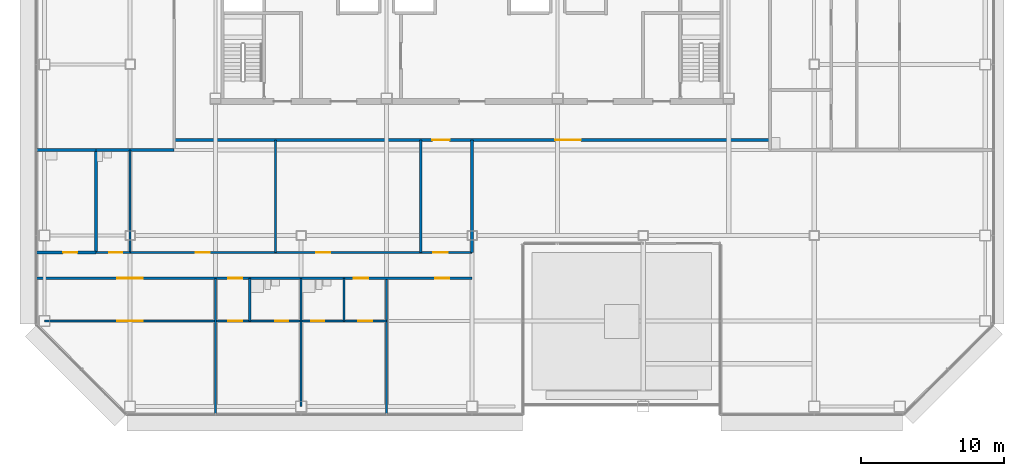
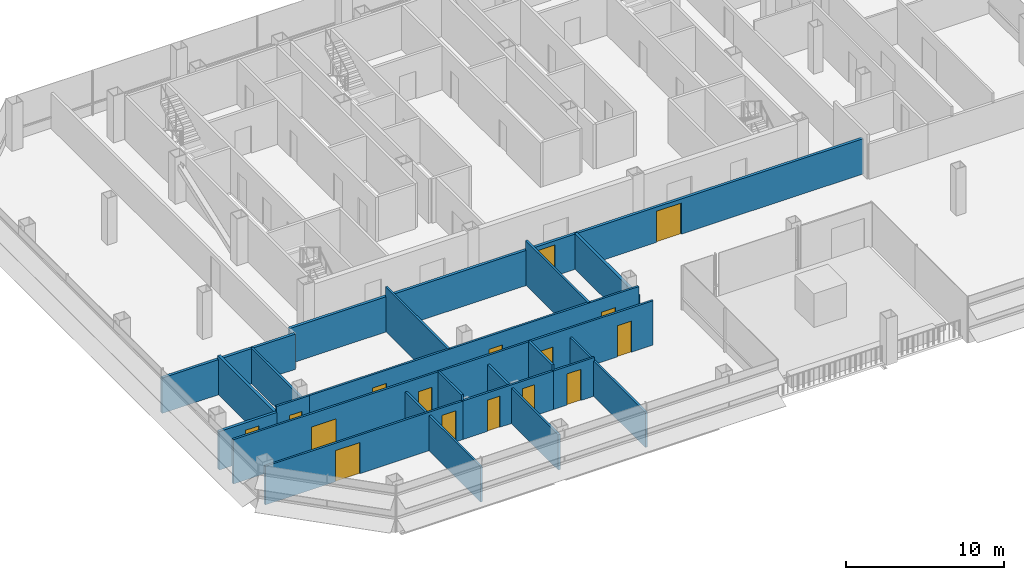
# One storey, part 18 of 26: 23 walls, 16 doors, 16 openings.
"""IFC4 building model written with IfcOpenShell, lengths in metres."""

from ifc_helpers import new_model, si_unit, direction, frame, frame_2d, origin, place, context, subcontext, project, spatial, rectangle, extrude, material, layer, layer_set, type_object, element, fill, save


model = new_model("IFC4")

# Units and contexts
model_context = context("Model", 3, precision=1e-05, world=origin(), true_north=direction((0.0, 1.0)))
body_context = subcontext(model_context, "Body", "Model", "MODEL_VIEW")
ifc_project = project(units=[si_unit("LENGTHUNIT", "METRE"), si_unit("AREAUNIT", "SQUARE_METRE"), si_unit("VOLUMEUNIT", "CUBIC_METRE"), si_unit("PLANEANGLEUNIT", "RADIAN"), si_unit("MASSUNIT", "GRAM", prefix="KILO")], contexts=[model_context])

# Site, building, storey
site_placement = place(None, origin())
site = spatial("IfcSite", under=ifc_project, at=site_placement, CompositionType="ELEMENT")
building_placement = place(site_placement, origin())
building = spatial("IfcBuilding", under=site, at=building_placement, Name="Sorahane Residences", CompositionType="ELEMENT")
storey_placement = place(building_placement, frame((0.0, 0.0, 103.39990234375)))
storey = spatial("IfcBuildingStorey", under=building, at=storey_placement, Name="L22", CompositionType="ELEMENT", Elevation=103.39990234375)

# Walls
ifc_material_1 = material(Name="Concrete blockwork C20 wall", Category="masonry")
ifc_layer_1 = layer(ifc_material_1, 0.199951171875)
ifc_layer_set_1 = layer_set([ifc_layer_1], Name="Corridor wall 200 EI 120")
wall_type_1 = type_object("IfcWallType", Name="Corridor wall 200 EI 120", PredefinedType="SOLIDWALL", material=ifc_layer_set_1)
wall_1_placement = place(storey_placement, frame((24.0, 10.800048828125, 0.0), z_axis=(0.0, 0.0, 1.0), x_axis=(0.0, 1.0, 0.0)))
element("IfcWall", 1, at=wall_1_placement, inside=storey, type_object=wall_type_1, Name="L22 corridor wall", PredefinedType="SOLIDWALL", context=body_context, shape_type="SweptSolid", body=[
    extrude(rectangle(XDim=7.89990234375, YDim=0.199951171875, at=frame_2d((3.949951171875, 0.0))), origin(), (0.0, 0.0, 1.0), 2.72021484375),
])
wall_2_placement = place(storey_placement, frame((-2.39990234375, 18.0, 0.0), z_axis=(0.0, 0.0, 1.0), x_axis=(1.0, 0.0, 0.0)))
element("IfcWall", 2, at=wall_2_placement, inside=storey, type_object=wall_type_1, Name="L22 corridor wall", PredefinedType="SOLIDWALL", context=body_context, shape_type="SweptSolid", body=[
    extrude(rectangle(XDim=5.5, YDim=0.199951171875, at=frame_2d((2.75, 0.0))), origin(), (0.0, 0.0, 1.0), 2.72021484375),
])

# Wall, openings, doors
wall_3_placement = place(storey_placement, frame((3.10009765625, 18.699951171875, 0.0), z_axis=(0.0, 0.0, 1.0), x_axis=(1.0, 0.0, 0.0)))
wall_3 = element("IfcWall", 3, at=wall_3_placement, inside=storey, type_object=wall_type_1, Name="L22 corridor wall", PredefinedType="SOLIDWALL", context=body_context, shape_type="SweptSolid", body=[
    extrude(rectangle(XDim=41.7998046875, YDim=0.199951171875, at=frame_2d((20.89990234375, 0.0))), origin(), (0.0, 0.0, 1.0), 2.72021484375),
])
opening_1_placement = place(wall_3_placement, frame((18.1201171875, 0.0, 0.0)))
opening_1 = element("IfcOpeningElement", 4, at=opening_1_placement, cuts=wall_3, Name="Opening L22-27", PredefinedType="OPENING", context=body_context, shape_type="SweptSolid", body=[
    extrude(rectangle(XDim=1.199951171875, YDim=2.39990234375, at=frame_2d((0.60009765625, 1.199951171875))), frame((0.0, 0.10986328125, 0.0), z_axis=(0.0, -1.0, 0.0), x_axis=(1.0, 0.0, 0.0)), (0.0, 0.0, 1.0), 0.219970703125),
])
opening_2_placement = place(wall_3_placement, frame((26.72998046875, 0.0, 0.0)))
opening_2 = element("IfcOpeningElement", 5, at=opening_2_placement, cuts=wall_3, Name="Opening L22-29", PredefinedType="OPENING", context=body_context, shape_type="SweptSolid", body=[
    extrude(rectangle(XDim=1.800048828125, YDim=2.39990234375, at=frame_2d((0.89990234375, 1.199951171875))), frame((0.0, 0.10986328125, 0.0), z_axis=(0.0, -1.0, 0.0), x_axis=(1.0, 0.0, 0.0)), (0.0, 0.0, 1.0), 0.219970703125),
])
ifc_material_2 = material(Name="Timber veneered fire door", Category="wood")
door_type_1 = type_object("IfcDoorType", Name="Double door 1800x2400 FD30", OperationType="NOTDEFINED", PredefinedType="DOOR", material=ifc_material_2)
door_1_placement = place(opening_2_placement, frame((1.800048828125, 0.0, 0.0), z_axis=(0.0, 0.0, 1.0), x_axis=(-1.0, 0.0, 0.0)))
door_1 = element("IfcDoor", 6, at=door_1_placement, inside=storey, type_object=door_type_1, Name="Double door L22-29", OperationType="SINGLE_SWING_LEFT", OverallHeight=2.39990234375, OverallWidth=1.800048828125, PredefinedType="DOOR", context=body_context, shape_type="SweptSolid", body=[
    extrude(rectangle(XDim=1.800048828125, YDim=2.39990234375, at=frame_2d((0.89990234375, 1.199951171875))), frame((0.0, 0.02490234375, 0.0), z_axis=(0.0, -1.0, 0.0), x_axis=(1.0, 0.0, 0.0)), (0.0, 0.0, 1.0), 0.050048828125),
])
fill(opening_2, door_1)
ifc_material_3 = material(Name="Timber veneered fire door", Category="wood")
door_type_2 = type_object("IfcDoorType", Name="Flat entrance door 1200x2400 FD60", OperationType="NOTDEFINED", PredefinedType="DOOR", material=ifc_material_3)
door_2_placement = place(opening_1_placement, frame((1.199951171875, 0.0, 0.0), z_axis=(0.0, 0.0, 1.0), x_axis=(-1.0, 0.0, 0.0)))
door_2 = element("IfcDoor", 7, at=door_2_placement, inside=storey, type_object=door_type_2, Name="Flat entrance door L22-27", OperationType="SINGLE_SWING_LEFT", OverallHeight=2.39990234375, OverallWidth=1.199951171875, PredefinedType="DOOR", context=body_context, shape_type="SweptSolid", body=[
    extrude(rectangle(XDim=1.199951171875, YDim=2.39990234375, at=frame_2d((0.60009765625, 1.199951171875))), frame((0.0, 0.02490234375, 0.0), z_axis=(0.0, -1.0, 0.0), x_axis=(1.0, 0.0, 0.0)), (0.0, 0.0, 1.0), 0.050048828125),
])
fill(opening_1, door_2)

# Wall
ifc_material_4 = material(Name="Concrete blockwork C20 wall", Category="masonry")
ifc_layer_2 = layer(ifc_material_4, 0.199951171875)
ifc_layer_set_2 = layer_set([ifc_layer_2], Name="Kitchen wall 200 EI 180")
wall_type_2 = type_object("IfcWallType", Name="Kitchen wall 200 EI 180", PredefinedType="SOLIDWALL", material=ifc_layer_set_2)
wall_4_placement = place(storey_placement, frame((-2.39990234375, 10.800048828125, 0.0), z_axis=(0.0, 0.0, 1.0), x_axis=(0.0, 1.0, 0.0)))
element("IfcWall", 8, at=wall_4_placement, inside=storey, type_object=wall_type_2, Name="L22 kitchen wall", PredefinedType="SOLIDWALL", context=body_context, shape_type="SweptSolid", body=[
    extrude(rectangle(XDim=7.199951171875, YDim=0.199951171875, at=frame_2d((3.60009765625, 0.0))), origin(), (0.0, 0.0, 1.0), 2.97021484375),
])

# Wall, opening, door
wall_5_placement = place(storey_placement, frame((-6.60009765625, 10.800048828125, 0.0), z_axis=(0.0, 0.0, 1.0), x_axis=(1.0, 0.0, 0.0)))
wall_5 = element("IfcWall", 9, at=wall_5_placement, inside=storey, type_object=wall_type_2, Name="L22 kitchen wall", PredefinedType="SOLIDWALL", context=body_context, shape_type="SweptSolid", body=[
    extrude(rectangle(XDim=4.2001953125, YDim=0.199951171875, at=frame_2d((2.10009765625, 0.0))), origin(), (0.0, 0.0, 1.0), 2.97021484375),
])
opening_3_placement = place(wall_5_placement, frame((1.89990234375, 0.0, 0.0)))
opening_3 = element("IfcOpeningElement", 10, at=opening_3_placement, cuts=wall_5, Name="Opening L22-02", PredefinedType="OPENING", context=body_context, shape_type="SweptSolid", body=[
    extrude(rectangle(XDim=1.0, YDim=2.39990234375, at=frame_2d((0.5, 1.199951171875))), frame((0.0, 0.10986328125, 0.0), z_axis=(0.0, -1.0, 0.0), x_axis=(1.0, 0.0, 0.0)), (0.0, 0.0, 1.0), 0.219970703125),
])
ifc_material_5 = material(Name="Steel", Category="steel")
door_type_3 = type_object("IfcDoorType", Name="Kitchen door 1000x2400 FD120", OperationType="NOTDEFINED", PredefinedType="DOOR", material=ifc_material_5)
door_3_placement = place(opening_3_placement, origin())
door_3 = element("IfcDoor", 11, at=door_3_placement, inside=storey, type_object=door_type_3, Name="Kitchen door L22-02", OperationType="SINGLE_SWING_RIGHT", OverallHeight=2.39990234375, OverallWidth=1.0, PredefinedType="DOOR", context=body_context, shape_type="SweptSolid", body=[
    extrude(rectangle(XDim=1.0, YDim=2.39990234375, at=frame_2d((0.5, 1.199951171875))), frame((0.0, 0.02490234375, 0.0), z_axis=(0.0, -1.0, 0.0), x_axis=(1.0, 0.0, 0.0)), (0.0, 0.0, 1.0), 0.050048828125),
])
fill(opening_3, door_3)

# Walls
wall_6_placement = place(storey_placement, frame((-6.60009765625, 18.0, 0.0), z_axis=(0.0, 0.0, 1.0), x_axis=(1.0, 0.0, 0.0)))
element("IfcWall", 12, at=wall_6_placement, inside=storey, type_object=wall_type_2, Name="L22 kitchen wall", PredefinedType="SOLIDWALL", context=body_context, shape_type="SweptSolid", body=[
    extrude(rectangle(XDim=4.2001953125, YDim=0.199951171875, at=frame_2d((2.10009765625, 0.0))), origin(), (0.0, 0.0, 1.0), 2.72021484375),
])
ifc_material_6 = material(Name="Gypsum board partition on steel studs", Category="steel")
ifc_layer_3 = layer(ifc_material_6, 0.14990234375)
ifc_layer_set_3 = layer_set([ifc_layer_3], Name="Partition 150 EI 90")
wall_type_3 = type_object("IfcWallType", Name="Partition 150 EI 90", PredefinedType="PARTITIONING", material=ifc_layer_set_3)
wall_7_placement = place(storey_placement, frame((10.199951171875, 10.800048828125, 0.0), z_axis=(0.0, 0.0, 1.0), x_axis=(0.0, 1.0, 0.0)))
element("IfcWall", 13, at=wall_7_placement, inside=storey, type_object=wall_type_3, Name="L22 partition", PredefinedType="PARTITIONING", context=body_context, shape_type="SweptSolid", body=[
    extrude(rectangle(XDim=7.89990234375, YDim=0.14990234375, at=frame_2d((3.949951171875, 0.0))), origin(), (0.0, 0.0, 1.0), 3.420166015625),
])
wall_8_placement = place(storey_placement, frame((12.0, 0.0, 0.0), z_axis=(0.0, 0.0, 1.0), x_axis=(0.0, 1.0, 0.0)))
element("IfcWall", 14, at=wall_8_placement, inside=storey, type_object=wall_type_3, Name="L22 partition", PredefinedType="PARTITIONING", context=body_context, shape_type="SweptSolid", body=[
    extrude(rectangle(XDim=6.0, YDim=0.14990234375, at=frame_2d((3.0, 0.0))), origin(), (0.0, 0.0, 1.0), 2.72021484375),
])
wall_9_placement = place(storey_placement, frame((18.0, -0.60009765625, 0.0), z_axis=(0.0, 0.0, 1.0), x_axis=(0.0, 1.0, 0.0)))
element("IfcWall", 15, at=wall_9_placement, inside=storey, type_object=wall_type_3, Name="L22 partition", PredefinedType="PARTITIONING", context=body_context, shape_type="SweptSolid", body=[
    extrude(rectangle(XDim=9.60009765625, YDim=0.14990234375, at=frame_2d((4.800048828125, 0.0))), origin(), (0.0, 0.0, 1.0), 2.72021484375),
])
wall_10_placement = place(storey_placement, frame((20.39990234375, 10.800048828125, 0.0), z_axis=(0.0, 0.0, 1.0), x_axis=(0.0, 1.0, 0.0)))
element("IfcWall", 16, at=wall_10_placement, inside=storey, type_object=wall_type_3, Name="L22 partition", PredefinedType="PARTITIONING", context=body_context, shape_type="SweptSolid", body=[
    extrude(rectangle(XDim=7.89990234375, YDim=0.14990234375, at=frame_2d((3.949951171875, 0.0))), origin(), (0.0, 0.0, 1.0), 3.420166015625),
])
wall_11_placement = place(storey_placement, frame((6.0, -0.60009765625, 0.0), z_axis=(0.0, 0.0, 1.0), x_axis=(0.0, 1.0, 0.0)))
element("IfcWall", 17, at=wall_11_placement, inside=storey, type_object=wall_type_3, Name="L22 partition", PredefinedType="PARTITIONING", context=body_context, shape_type="SweptSolid", body=[
    extrude(rectangle(XDim=9.60009765625, YDim=0.14990234375, at=frame_2d((4.800048828125, 0.0))), origin(), (0.0, 0.0, 1.0), 2.72021484375),
])

# Wall, openings, doors
wall_12_placement = place(storey_placement, frame((0.0, 10.800048828125, 0.0), z_axis=(0.0, 0.0, 1.0), x_axis=(1.0, 0.0, 0.0)))
wall_12 = element("IfcWall", 18, at=wall_12_placement, inside=storey, type_object=wall_type_3, Name="L22 partition", PredefinedType="PARTITIONING", context=body_context, shape_type="SweptSolid", body=[
    extrude(rectangle(XDim=24.0, YDim=0.14990234375, at=frame_2d((12.0, 0.0))), origin(), (0.0, 0.0, 1.0), 3.420166015625),
])
opening_4_placement = place(wall_12_placement, frame((21.280029296875, 0.0, 0.0)))
opening_4 = element("IfcOpeningElement", 19, at=opening_4_placement, cuts=wall_12, Name="Opening L22-01", PredefinedType="OPENING", context=body_context, shape_type="SweptSolid", body=[
    extrude(rectangle(XDim=1.0, YDim=2.39990234375, at=frame_2d((0.5, 1.199951171875))), frame((0.0, 0.0849609375, 0.0), z_axis=(0.0, -1.0, 0.0), x_axis=(1.0, 0.0, 0.0)), (0.0, 0.0, 1.0), 0.169921875),
])
opening_5_placement = place(wall_12_placement, frame((4.60009765625, 0.0, 0.0)))
opening_5 = element("IfcOpeningElement", 20, at=opening_5_placement, cuts=wall_12, Name="Opening L22-04", PredefinedType="OPENING", context=body_context, shape_type="SweptSolid", body=[
    extrude(rectangle(XDim=1.0, YDim=2.39990234375, at=frame_2d((0.5, 1.199951171875))), frame((0.0, 0.0849609375, 0.0), z_axis=(0.0, -1.0, 0.0), x_axis=(1.0, 0.0, 0.0)), (0.0, 0.0, 1.0), 0.169921875),
])
opening_6_placement = place(wall_12_placement, frame((13.06005859375, 0.0, 0.0)))
opening_6 = element("IfcOpeningElement", 21, at=opening_6_placement, cuts=wall_12, Name="Opening L22-05", PredefinedType="OPENING", context=body_context, shape_type="SweptSolid", body=[
    extrude(rectangle(XDim=1.0, YDim=2.39990234375, at=frame_2d((0.5, 1.199951171875))), frame((0.0, 0.0849609375, 0.0), z_axis=(0.0, -1.0, 0.0), x_axis=(1.0, 0.0, 0.0)), (0.0, 0.0, 1.0), 0.169921875),
])
ifc_material_7 = material(Name="Timber veneered fire door", Category="wood")
door_type_4 = type_object("IfcDoorType", Name="Room door 1000x2400 FD30", OperationType="NOTDEFINED", PredefinedType="DOOR", material=ifc_material_7)
door_4_placement = place(opening_4_placement, frame((1.0, 0.0, 0.0), z_axis=(0.0, 0.0, 1.0), x_axis=(-1.0, 0.0, 0.0)))
door_4 = element("IfcDoor", 22, at=door_4_placement, inside=storey, type_object=door_type_4, Name="Room door L22-01", OperationType="SINGLE_SWING_LEFT", OverallHeight=2.39990234375, OverallWidth=1.0, PredefinedType="DOOR", context=body_context, shape_type="SweptSolid", body=[
    extrude(rectangle(XDim=1.0, YDim=2.39990234375, at=frame_2d((0.5, 1.199951171875))), frame((0.0, 0.02490234375, 0.0), z_axis=(0.0, -1.0, 0.0), x_axis=(1.0, 0.0, 0.0)), (0.0, 0.0, 1.0), 0.050048828125),
])
fill(opening_4, door_4)
door_5_placement = place(opening_5_placement, origin())
door_5 = element("IfcDoor", 23, at=door_5_placement, inside=storey, type_object=door_type_4, Name="Room door L22-04", OperationType="SINGLE_SWING_LEFT", OverallHeight=2.39990234375, OverallWidth=1.0, PredefinedType="DOOR", context=body_context, shape_type="SweptSolid", body=[
    extrude(rectangle(XDim=1.0, YDim=2.39990234375, at=frame_2d((0.5, 1.199951171875))), frame((0.0, 0.02490234375, 0.0), z_axis=(0.0, -1.0, 0.0), x_axis=(1.0, 0.0, 0.0)), (0.0, 0.0, 1.0), 0.050048828125),
])
fill(opening_5, door_5)
door_6_placement = place(opening_6_placement, origin())
door_6 = element("IfcDoor", 24, at=door_6_placement, inside=storey, type_object=door_type_4, Name="Room door L22-05", OperationType="SINGLE_SWING_RIGHT", OverallHeight=2.39990234375, OverallWidth=1.0, PredefinedType="DOOR", context=body_context, shape_type="SweptSolid", body=[
    extrude(rectangle(XDim=1.0, YDim=2.39990234375, at=frame_2d((0.5, 1.199951171875))), frame((0.0, 0.02490234375, 0.0), z_axis=(0.0, -1.0, 0.0), x_axis=(1.0, 0.0, 0.0)), (0.0, 0.0, 1.0), 0.050048828125),
])
fill(opening_6, door_6)

wall_13_placement = place(storey_placement, frame((-6.0, 6.0, 0.0), z_axis=(0.0, 0.0, 1.0), x_axis=(1.0, 0.0, 0.0)))
wall_13 = element("IfcWall", 25, at=wall_13_placement, inside=storey, type_object=wall_type_3, Name="L22 partition", PredefinedType="PARTITIONING", context=body_context, shape_type="SweptSolid", body=[
    extrude(rectangle(XDim=14.39990234375, YDim=0.14990234375, at=frame_2d((7.199951171875, 0.0))), origin(), (0.0, 0.0, 1.0), 2.97021484375),
])
opening_7_placement = place(wall_13_placement, frame((5.10009765625, 0.0, 0.0)))
opening_7 = element("IfcOpeningElement", 26, at=opening_7_placement, cuts=wall_13, Name="Opening L22-10", PredefinedType="OPENING", context=body_context, shape_type="SweptSolid", body=[
    extrude(rectangle(XDim=1.800048828125, YDim=2.39990234375, at=frame_2d((0.89990234375, 1.199951171875))), frame((0.0, 0.0849609375, 0.0), z_axis=(0.0, -1.0, 0.0), x_axis=(1.0, 0.0, 0.0)), (0.0, 0.0, 1.0), 0.169921875),
])
opening_8_placement = place(wall_13_placement, frame((12.8798828125, 0.0, 0.0)))
opening_8 = element("IfcOpeningElement", 27, at=opening_8_placement, cuts=wall_13, Name="Opening L22-11", PredefinedType="OPENING", context=body_context, shape_type="SweptSolid", body=[
    extrude(rectangle(XDim=1.0, YDim=2.39990234375, at=frame_2d((0.5, 1.199951171875))), frame((0.0, 0.0849609375, 0.0), z_axis=(0.0, -1.0, 0.0), x_axis=(1.0, 0.0, 0.0)), (0.0, 0.0, 1.0), 0.169921875),
])
door_7_placement = place(opening_7_placement, frame((1.800048828125, 0.0, 0.0), z_axis=(0.0, 0.0, 1.0), x_axis=(-1.0, 0.0, 0.0)))
door_7 = element("IfcDoor", 28, at=door_7_placement, inside=storey, type_object=door_type_1, Name="Double door L22-10", OperationType="SINGLE_SWING_LEFT", OverallHeight=2.39990234375, OverallWidth=1.800048828125, PredefinedType="DOOR", context=body_context, shape_type="SweptSolid", body=[
    extrude(rectangle(XDim=1.800048828125, YDim=2.39990234375, at=frame_2d((0.89990234375, 1.199951171875))), frame((0.0, 0.02490234375, 0.0), z_axis=(0.0, -1.0, 0.0), x_axis=(1.0, 0.0, 0.0)), (0.0, 0.0, 1.0), 0.050048828125),
])
fill(opening_7, door_7)
door_8_placement = place(opening_8_placement, frame((1.0, 0.0, 0.0), z_axis=(0.0, 0.0, 1.0), x_axis=(-1.0, 0.0, 0.0)))
door_8 = element("IfcDoor", 29, at=door_8_placement, inside=storey, type_object=door_type_4, Name="Room door L22-11", OperationType="SINGLE_SWING_RIGHT", OverallHeight=2.39990234375, OverallWidth=1.0, PredefinedType="DOOR", context=body_context, shape_type="SweptSolid", body=[
    extrude(rectangle(XDim=1.0, YDim=2.39990234375, at=frame_2d((0.5, 1.199951171875))), frame((0.0, 0.02490234375, 0.0), z_axis=(0.0, -1.0, 0.0), x_axis=(1.0, 0.0, 0.0)), (0.0, 0.0, 1.0), 0.050048828125),
])
fill(opening_8, door_8)

# Wall, opening, door
wall_14_placement = place(storey_placement, frame((15.0, 6.0, 0.0), z_axis=(0.0, 0.0, 1.0), x_axis=(1.0, 0.0, 0.0)))
wall_14 = element("IfcWall", 30, at=wall_14_placement, inside=storey, type_object=wall_type_3, Name="L22 partition", PredefinedType="PARTITIONING", context=body_context, shape_type="SweptSolid", body=[
    extrude(rectangle(XDim=3.0, YDim=0.14990234375, at=frame_2d((1.5, 0.0))), origin(), (0.0, 0.0, 1.0), 2.97021484375),
])
opening_9_placement = place(wall_14_placement, frame((1.0, 0.0, 0.0)))
opening_9 = element("IfcOpeningElement", 31, at=opening_9_placement, cuts=wall_14, Name="Opening L22-13", PredefinedType="OPENING", context=body_context, shape_type="SweptSolid", body=[
    extrude(rectangle(XDim=1.0, YDim=2.39990234375, at=frame_2d((0.5, 1.199951171875))), frame((0.0, 0.0849609375, 0.0), z_axis=(0.0, -1.0, 0.0), x_axis=(1.0, 0.0, 0.0)), (0.0, 0.0, 1.0), 0.169921875),
])
door_9_placement = place(opening_9_placement, frame((1.0, 0.0, 0.0), z_axis=(0.0, 0.0, 1.0), x_axis=(-1.0, 0.0, 0.0)))
door_9 = element("IfcDoor", 32, at=door_9_placement, inside=storey, type_object=door_type_4, Name="Room door L22-13", OperationType="SINGLE_SWING_LEFT", OverallHeight=2.39990234375, OverallWidth=1.0, PredefinedType="DOOR", context=body_context, shape_type="SweptSolid", body=[
    extrude(rectangle(XDim=1.0, YDim=2.39990234375, at=frame_2d((0.5, 1.199951171875))), frame((0.0, 0.02490234375, 0.0), z_axis=(0.0, -1.0, 0.0), x_axis=(1.0, 0.0, 0.0)), (0.0, 0.0, 1.0), 0.050048828125),
])
fill(opening_9, door_9)

# Wall, openings, doors
wall_15_placement = place(storey_placement, frame((-6.60009765625, 9.0, 0.0), z_axis=(0.0, 0.0, 1.0), x_axis=(1.0, 0.0, 0.0)))
wall_15 = element("IfcWall", 33, at=wall_15_placement, inside=storey, type_object=wall_type_3, Name="L22 partition", PredefinedType="PARTITIONING", context=body_context, shape_type="SweptSolid", body=[
    extrude(rectangle(XDim=15.0, YDim=0.14990234375, at=frame_2d((7.5, 0.0))), origin(), (0.0, 0.0, 1.0), 3.420166015625),
])
opening_10_placement = place(wall_15_placement, frame((5.699951171875, 0.0, 0.0)))
opening_10 = element("IfcOpeningElement", 34, at=opening_10_placement, cuts=wall_15, Name="Opening L22-06", PredefinedType="OPENING", context=body_context, shape_type="SweptSolid", body=[
    extrude(rectangle(XDim=1.800048828125, YDim=2.39990234375, at=frame_2d((0.89990234375, 1.199951171875))), frame((0.0, 0.0849609375, 0.0), z_axis=(0.0, -1.0, 0.0), x_axis=(1.0, 0.0, 0.0)), (0.0, 0.0, 1.0), 0.169921875),
])
opening_11_placement = place(wall_15_placement, frame((13.47998046875, 0.0, 0.0)))
opening_11 = element("IfcOpeningElement", 35, at=opening_11_placement, cuts=wall_15, Name="Opening L22-07", PredefinedType="OPENING", context=body_context, shape_type="SweptSolid", body=[
    extrude(rectangle(XDim=1.0, YDim=2.39990234375, at=frame_2d((0.5, 1.199951171875))), frame((0.0, 0.0849609375, 0.0), z_axis=(0.0, -1.0, 0.0), x_axis=(1.0, 0.0, 0.0)), (0.0, 0.0, 1.0), 0.169921875),
])
door_10_placement = place(opening_10_placement, frame((1.800048828125, 0.0, 0.0), z_axis=(0.0, 0.0, 1.0), x_axis=(-1.0, 0.0, 0.0)))
door_10 = element("IfcDoor", 36, at=door_10_placement, inside=storey, type_object=door_type_1, Name="Double door L22-06", OperationType="SINGLE_SWING_RIGHT", OverallHeight=2.39990234375, OverallWidth=1.800048828125, PredefinedType="DOOR", context=body_context, shape_type="SweptSolid", body=[
    extrude(rectangle(XDim=1.800048828125, YDim=2.39990234375, at=frame_2d((0.89990234375, 1.199951171875))), frame((0.0, 0.02490234375, 0.0), z_axis=(0.0, -1.0, 0.0), x_axis=(1.0, 0.0, 0.0)), (0.0, 0.0, 1.0), 0.050048828125),
])
fill(opening_10, door_10)
door_11_placement = place(opening_11_placement, frame((1.0, 0.0, 0.0), z_axis=(0.0, 0.0, 1.0), x_axis=(-1.0, 0.0, 0.0)))
door_11 = element("IfcDoor", 37, at=door_11_placement, inside=storey, type_object=door_type_4, Name="Room door L22-07", OperationType="SINGLE_SWING_RIGHT", OverallHeight=2.39990234375, OverallWidth=1.0, PredefinedType="DOOR", context=body_context, shape_type="SweptSolid", body=[
    extrude(rectangle(XDim=1.0, YDim=2.39990234375, at=frame_2d((0.5, 1.199951171875))), frame((0.0, 0.02490234375, 0.0), z_axis=(0.0, -1.0, 0.0), x_axis=(1.0, 0.0, 0.0)), (0.0, 0.0, 1.0), 0.050048828125),
])
fill(opening_11, door_11)

wall_16_placement = place(storey_placement, frame((15.0, 9.0, 0.0), z_axis=(0.0, 0.0, 1.0), x_axis=(1.0, 0.0, 0.0)))
wall_16 = element("IfcWall", 38, at=wall_16_placement, inside=storey, type_object=wall_type_3, Name="L22 partition", PredefinedType="PARTITIONING", context=body_context, shape_type="SweptSolid", body=[
    extrude(rectangle(XDim=9.0, YDim=0.14990234375, at=frame_2d((4.5, 0.0))), origin(), (0.0, 0.0, 1.0), 3.420166015625),
])
opening_12_placement = place(wall_16_placement, frame((0.699951171875, 0.0, 0.0)))
opening_12 = element("IfcOpeningElement", 39, at=opening_12_placement, cuts=wall_16, Name="Opening L22-08", PredefinedType="OPENING", context=body_context, shape_type="SweptSolid", body=[
    extrude(rectangle(XDim=1.0, YDim=2.39990234375, at=frame_2d((0.5, 1.199951171875))), frame((0.0, 0.0849609375, 0.0), z_axis=(0.0, -1.0, 0.0), x_axis=(1.0, 0.0, 0.0)), (0.0, 0.0, 1.0), 0.169921875),
])
opening_13_placement = place(wall_16_placement, frame((6.39990234375, 0.0, 0.0)))
opening_13 = element("IfcOpeningElement", 40, at=opening_13_placement, cuts=wall_16, Name="Opening L22-09", PredefinedType="OPENING", context=body_context, shape_type="SweptSolid", body=[
    extrude(rectangle(XDim=1.0, YDim=2.39990234375, at=frame_2d((0.5, 1.199951171875))), frame((0.0, 0.0849609375, 0.0), z_axis=(0.0, -1.0, 0.0), x_axis=(1.0, 0.0, 0.0)), (0.0, 0.0, 1.0), 0.169921875),
])
door_12_placement = place(opening_12_placement, frame((1.0, 0.0, 0.0), z_axis=(0.0, 0.0, 1.0), x_axis=(-1.0, 0.0, 0.0)))
door_12 = element("IfcDoor", 41, at=door_12_placement, inside=storey, type_object=door_type_4, Name="Room door L22-08", OperationType="SINGLE_SWING_RIGHT", OverallHeight=2.39990234375, OverallWidth=1.0, PredefinedType="DOOR", context=body_context, shape_type="SweptSolid", body=[
    extrude(rectangle(XDim=1.0, YDim=2.39990234375, at=frame_2d((0.5, 1.199951171875))), frame((0.0, 0.02490234375, 0.0), z_axis=(0.0, -1.0, 0.0), x_axis=(1.0, 0.0, 0.0)), (0.0, 0.0, 1.0), 0.050048828125),
])
fill(opening_12, door_12)
door_13_placement = place(opening_13_placement, frame((1.0, 0.0, 0.0), z_axis=(0.0, 0.0, 1.0), x_axis=(-1.0, 0.0, 0.0)))
door_13 = element("IfcDoor", 42, at=door_13_placement, inside=storey, type_object=door_type_4, Name="Room door L22-09", OperationType="SINGLE_SWING_LEFT", OverallHeight=2.39990234375, OverallWidth=1.0, PredefinedType="DOOR", context=body_context, shape_type="SweptSolid", body=[
    extrude(rectangle(XDim=1.0, YDim=2.39990234375, at=frame_2d((0.5, 1.199951171875))), frame((0.0, 0.02490234375, 0.0), z_axis=(0.0, -1.0, 0.0), x_axis=(1.0, 0.0, 0.0)), (0.0, 0.0, 1.0), 0.050048828125),
])
fill(opening_13, door_13)

# Walls
ifc_material_8 = material(Name="Gypsum board partition on steel studs", Category="steel")
ifc_layer_4 = layer(ifc_material_8, 0.14990234375)
ifc_layer_set_4 = layer_set([ifc_layer_4], Name="Wet wall 150 EI 90")
wall_type_4 = type_object("IfcWallType", Name="Wet wall 150 EI 90", PredefinedType="PARTITIONING", material=ifc_layer_set_4)
wall_17_placement = place(storey_placement, frame((0.0, 10.800048828125, 0.0), z_axis=(0.0, 0.0, 1.0), x_axis=(0.0, 1.0, 0.0)))
element("IfcWall", 43, at=wall_17_placement, inside=storey, type_object=wall_type_4, Name="L22 wet wall", PredefinedType="PARTITIONING", context=body_context, shape_type="SweptSolid", body=[
    extrude(rectangle(XDim=7.199951171875, YDim=0.14990234375, at=frame_2d((3.60009765625, 0.0))), origin(), (0.0, 0.0, 1.0), 2.72021484375),
])
wall_18_placement = place(storey_placement, frame((12.0, 6.0, 0.0), z_axis=(0.0, 0.0, 1.0), x_axis=(0.0, 1.0, 0.0)))
element("IfcWall", 44, at=wall_18_placement, inside=storey, type_object=wall_type_4, Name="L22 wet wall", PredefinedType="PARTITIONING", context=body_context, shape_type="SweptSolid", body=[
    extrude(rectangle(XDim=3.0, YDim=0.14990234375, at=frame_2d((1.5, 0.0))), origin(), (0.0, 0.0, 1.0), 2.72021484375),
])
for number, where, z_axis, x_axis, name in (
    (45, (15.0, 6.0, 0.0), (0.0, 0.0, 1.0), (0.0, 1.0, 0.0), "L22 wet wall"),
    (46, (8.39990234375, 6.0, 0.0), (0.0, 0.0, 1.0), (0.0, 1.0, 0.0), "L22 wet wall"),
):
    element("IfcWall", number, at=place(storey_placement, frame(where, z_axis=z_axis, x_axis=x_axis)), inside=storey, type_object=wall_type_4, Name=name, PredefinedType="PARTITIONING", context=body_context, shape_type="SweptSolid", body=[
        extrude(rectangle(XDim=3.0, YDim=0.14990234375, at=frame_2d((1.5, 0.0))), origin(), (0.0, 0.0, 1.0), 3.420166015625),
    ])

# Wall, opening, door
wall_19_placement = place(storey_placement, frame((-2.39990234375, 10.800048828125, 0.0), z_axis=(0.0, 0.0, 1.0), x_axis=(1.0, 0.0, 0.0)))
wall_19 = element("IfcWall", 47, at=wall_19_placement, inside=storey, type_object=wall_type_4, Name="L22 wet wall", PredefinedType="PARTITIONING", context=body_context, shape_type="SweptSolid", body=[
    extrude(rectangle(XDim=2.39990234375, YDim=0.14990234375, at=frame_2d((1.199951171875, 0.0))), origin(), (0.0, 0.0, 1.0), 3.420166015625),
])
opening_14_placement = place(wall_19_placement, frame((0.949951171875, 0.0, 0.0)))
opening_14 = element("IfcOpeningElement", 48, at=opening_14_placement, cuts=wall_19, Name="Opening L22-03", PredefinedType="OPENING", context=body_context, shape_type="SweptSolid", body=[
    extrude(rectangle(XDim=0.89990234375, YDim=2.39990234375, at=frame_2d((0.449951171875, 1.199951171875))), frame((0.0, 0.0849609375, 0.0), z_axis=(0.0, -1.0, 0.0), x_axis=(1.0, 0.0, 0.0)), (0.0, 0.0, 1.0), 0.169921875),
])
ifc_material_9 = material(Name="Timber veneered fire door", Category="wood")
door_type_5 = type_object("IfcDoorType", Name="Bathroom door 900x2400 FD30", OperationType="NOTDEFINED", PredefinedType="DOOR", material=ifc_material_9)
door_14_placement = place(opening_14_placement, frame((0.89990234375, 0.0, 0.0), z_axis=(0.0, 0.0, 1.0), x_axis=(-1.0, 0.0, 0.0)))
door_14 = element("IfcDoor", 49, at=door_14_placement, inside=storey, type_object=door_type_5, Name="Bathroom door L22-03", OperationType="SINGLE_SWING_LEFT", OverallHeight=2.39990234375, OverallWidth=0.89990234375, PredefinedType="DOOR", context=body_context, shape_type="SweptSolid", body=[
    extrude(rectangle(XDim=0.89990234375, YDim=2.39990234375, at=frame_2d((0.449951171875, 1.199951171875))), frame((0.0, 0.02490234375, 0.0), z_axis=(0.0, -1.0, 0.0), x_axis=(1.0, 0.0, 0.0)), (0.0, 0.0, 1.0), 0.050048828125),
])
fill(opening_14, door_14)

# Wall, openings, doors
wall_20_placement = place(storey_placement, frame((8.39990234375, 6.0, 0.0), z_axis=(0.0, 0.0, 1.0), x_axis=(1.0, 0.0, 0.0)))
wall_20 = element("IfcWall", 50, at=wall_20_placement, inside=storey, type_object=wall_type_4, Name="L22 wet wall", PredefinedType="PARTITIONING", context=body_context, shape_type="SweptSolid", body=[
    extrude(rectangle(XDim=6.60009765625, YDim=0.14990234375, at=frame_2d((3.300048828125, 0.0))), origin(), (0.0, 0.0, 1.0), 2.97021484375),
])
opening_15_placement = place(wall_20_placement, frame((1.7900390625, 0.0, 0.0)))
opening_15 = element("IfcOpeningElement", 51, at=opening_15_placement, cuts=wall_20, Name="Opening L22-12", PredefinedType="OPENING", context=body_context, shape_type="SweptSolid", body=[
    extrude(rectangle(XDim=0.89990234375, YDim=2.39990234375, at=frame_2d((0.449951171875, 1.199951171875))), frame((0.0, 0.0849609375, 0.0), z_axis=(0.0, -1.0, 0.0), x_axis=(1.0, 0.0, 0.0)), (0.0, 0.0, 1.0), 0.169921875),
])
opening_16_placement = place(wall_20_placement, frame((4.330078125, 0.0, 0.0)))
opening_16 = element("IfcOpeningElement", 52, at=opening_16_placement, cuts=wall_20, Name="Opening L22-14", PredefinedType="OPENING", context=body_context, shape_type="SweptSolid", body=[
    extrude(rectangle(XDim=0.89990234375, YDim=2.39990234375, at=frame_2d((0.449951171875, 1.199951171875))), frame((0.0, 0.0849609375, 0.0), z_axis=(0.0, -1.0, 0.0), x_axis=(1.0, 0.0, 0.0)), (0.0, 0.0, 1.0), 0.169921875),
])
door_15_placement = place(opening_15_placement, frame((0.89990234375, 0.0, 0.0), z_axis=(0.0, 0.0, 1.0), x_axis=(-1.0, 0.0, 0.0)))
door_15 = element("IfcDoor", 53, at=door_15_placement, inside=storey, type_object=door_type_5, Name="Bathroom door L22-12", OperationType="SINGLE_SWING_RIGHT", OverallHeight=2.39990234375, OverallWidth=0.89990234375, PredefinedType="DOOR", context=body_context, shape_type="SweptSolid", body=[
    extrude(rectangle(XDim=0.89990234375, YDim=2.39990234375, at=frame_2d((0.449951171875, 1.199951171875))), frame((0.0, 0.02490234375, 0.0), z_axis=(0.0, -1.0, 0.0), x_axis=(1.0, 0.0, 0.0)), (0.0, 0.0, 1.0), 0.050048828125),
])
fill(opening_15, door_15)
door_16_placement = place(opening_16_placement, frame((0.89990234375, 0.0, 0.0), z_axis=(0.0, 0.0, 1.0), x_axis=(-1.0, 0.0, 0.0)))
door_16 = element("IfcDoor", 54, at=door_16_placement, inside=storey, type_object=door_type_5, Name="Bathroom door L22-14", OperationType="SINGLE_SWING_LEFT", OverallHeight=2.39990234375, OverallWidth=0.89990234375, PredefinedType="DOOR", context=body_context, shape_type="SweptSolid", body=[
    extrude(rectangle(XDim=0.89990234375, YDim=2.39990234375, at=frame_2d((0.449951171875, 1.199951171875))), frame((0.0, 0.02490234375, 0.0), z_axis=(0.0, -1.0, 0.0), x_axis=(1.0, 0.0, 0.0)), (0.0, 0.0, 1.0), 0.050048828125),
])
fill(opening_16, door_16)

# Wall
wall_21_placement = place(storey_placement, frame((8.39990234375, 9.0, 0.0), z_axis=(0.0, 0.0, 1.0), x_axis=(1.0, 0.0, 0.0)))
element("IfcWall", 55, at=wall_21_placement, inside=storey, type_object=wall_type_4, Name="L22 wet wall", PredefinedType="PARTITIONING", context=body_context, shape_type="SweptSolid", body=[
    extrude(rectangle(XDim=6.60009765625, YDim=0.14990234375, at=frame_2d((3.300048828125, 0.0))), origin(), (0.0, 0.0, 1.0), 3.420166015625),
])

save(model, "model.ifc")
